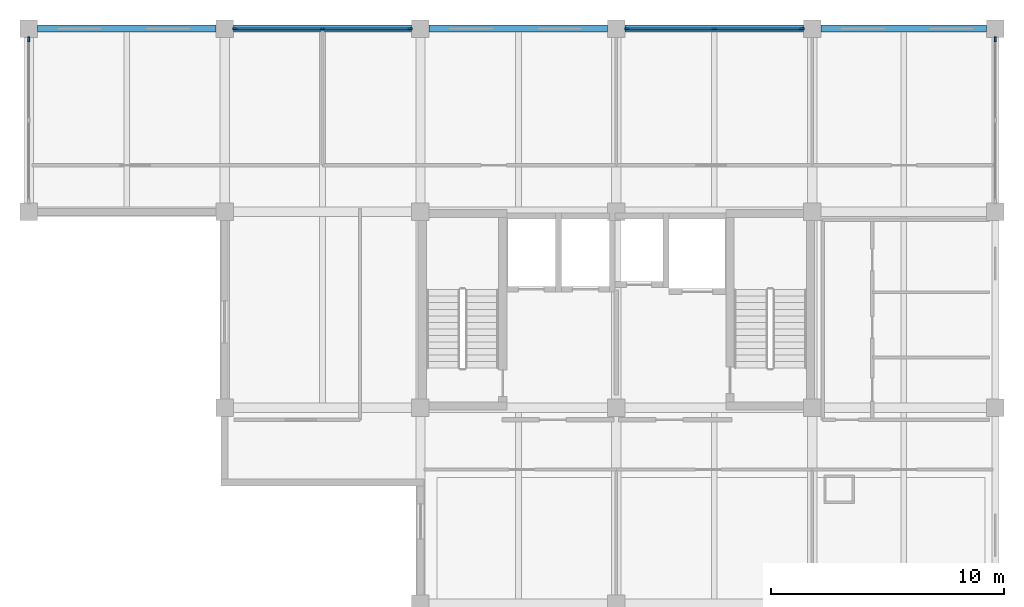
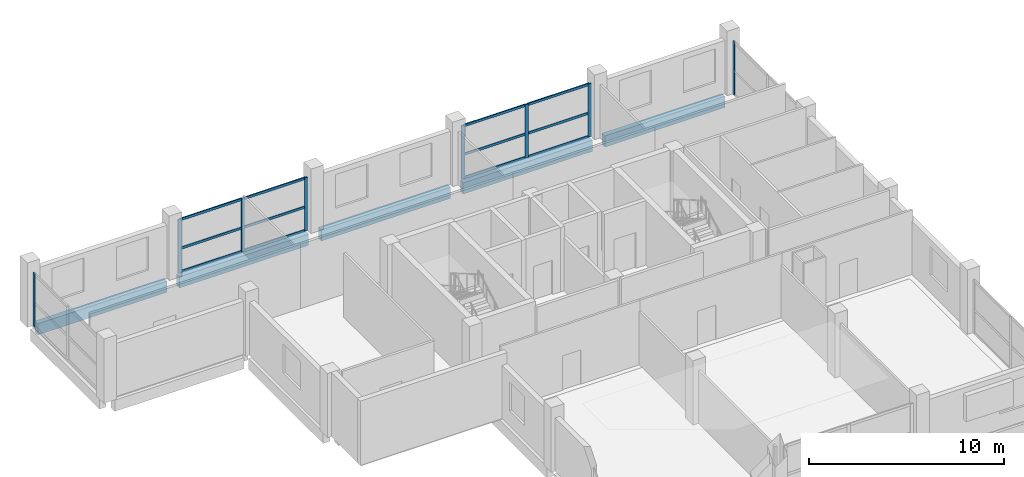
# One storey, part 5 of 9: 20 members, 5 beams, 4 elements without a shape of their own.
"""IFC4 building model written with IfcOpenShell, lengths in metres."""

from ifc_helpers import new_model, si_unit, direction, frame, origin, origin_2d, place, context, subcontext, project, spatial, rectangle, extrude, material, material_profile, profile_set, type_object, element, aggregate, save


model = new_model("IFC4")

# Units and contexts
model_context = context("Model", 3, precision=1e-05, world=origin(), true_north=direction((0.0, 1.0)))
body_context = subcontext(model_context, "Body", "Model", "MODEL_VIEW")
ifc_project = project(units=[si_unit("LENGTHUNIT", "METRE"), si_unit("AREAUNIT", "SQUARE_METRE"), si_unit("VOLUMEUNIT", "CUBIC_METRE"), si_unit("PLANEANGLEUNIT", "RADIAN"), si_unit("MASSUNIT", "GRAM", prefix="KILO")], contexts=[model_context])

# Site, building, storey
site_placement = place(None, origin())
site = spatial("IfcSite", under=ifc_project, at=site_placement, CompositionType="ELEMENT")
building_placement = place(site_placement, origin())
building = spatial("IfcBuilding", under=site, at=building_placement, Name="Brinegate Botanical Conservatory", CompositionType="ELEMENT")
storey_placement = place(building_placement, frame((0.0, 0.0, 52.800048828125)))
storey = spatial("IfcBuildingStorey", under=building, at=storey_placement, Name="L13", CompositionType="ELEMENT", Elevation=52.800048828125)

# Beams
ifc_material_1 = material(Name="Concrete C40/50", Category="concrete")
ifc_material_profile_1 = material_profile(ifc_material_1, rectangle(XDim=0.300048828125, YDim=0.699951171875, at=origin_2d()), Name="RC SPN 300x700")
ifc_profile_set_1 = profile_set([ifc_material_profile_1], Name="Concrete C40/50")
beam_type = type_object("IfcBeamType", Name="Beam_SP-02", PredefinedType="SPANDREL", material=ifc_profile_set_1)
beam_1_placement = place(storey_placement, frame((122.375, 111.449951171875, -0.52001953125), z_axis=(1.0, 0.0, 0.0), x_axis=(0.0, 1.0, 0.0)))
element("IfcBeam", 1, at=beam_1_placement, inside=storey, type_object=beam_type, Name="Beam SP-02 L13 P:16-17", PredefinedType="SPANDREL", context=body_context, shape_type="SweptSolid", body=[
    extrude(rectangle(XDim=0.300048828125, YDim=0.699951171875, at=origin_2d()), origin(), (0.0, 0.0, 1.0), 7.64990234375),
])
beam_2_placement = place(storey_placement, frame((130.77490234375, 111.449951171875, -0.52001953125), z_axis=(1.0, 0.0, 0.0), x_axis=(0.0, 1.0, 0.0)))
element("IfcBeam", 2, at=beam_2_placement, inside=storey, type_object=beam_type, Name="Beam SP-02 L13 P:17-18", PredefinedType="SPANDREL", context=body_context, shape_type="SweptSolid", body=[
    extrude(rectangle(XDim=0.300048828125, YDim=0.699951171875, at=origin_2d()), origin(), (0.0, 0.0, 1.0), 7.650146484375),
])
beam_3_placement = place(storey_placement, frame((139.175048828125, 111.449951171875, -0.52001953125), z_axis=(1.0, 0.0, 0.0), x_axis=(0.0, 1.0, 0.0)))
element("IfcBeam", 3, at=beam_3_placement, inside=storey, type_object=beam_type, Name="Beam SP-02 L13 P:18-19", PredefinedType="SPANDREL", context=body_context, shape_type="SweptSolid", body=[
    extrude(rectangle(XDim=0.300048828125, YDim=0.699951171875, at=origin_2d()), origin(), (0.0, 0.0, 1.0), 7.64990234375),
])
beam_4_placement = place(storey_placement, frame((147.574951171875, 111.449951171875, -0.52001953125), z_axis=(1.0, 0.0, 0.0), x_axis=(0.0, 1.0, 0.0)))
element("IfcBeam", 4, at=beam_4_placement, inside=storey, type_object=beam_type, Name="Beam SP-02 L13 P:19-20", PredefinedType="SPANDREL", context=body_context, shape_type="SweptSolid", body=[
    extrude(rectangle(XDim=0.300048828125, YDim=0.699951171875, at=origin_2d()), origin(), (0.0, 0.0, 1.0), 7.650146484375),
])
beam_5_placement = place(storey_placement, frame((155.97509765625, 111.449951171875, -0.52001953125), z_axis=(1.0, 0.0, 0.0), x_axis=(0.0, 1.0, 0.0)))
element("IfcBeam", 5, at=beam_5_placement, inside=storey, type_object=beam_type, Name="Beam SP-02 L13 P:20-21", PredefinedType="SPANDREL", context=body_context, shape_type="SweptSolid", body=[
    extrude(rectangle(XDim=0.300048828125, YDim=0.699951171875, at=origin_2d()), origin(), (0.0, 0.0, 1.0), 7.099853515625),
])

# Curtain wall, members
ifc_material_2 = material(Name="Thermally broken anodised aluminium AW-6063-T6", Category="aluminium")
curtain_wall_type = type_object("IfcCurtainWallType", Name="CW_CW-TW1", PredefinedType="USERDEFINED", material=ifc_material_2)
curtain_wall_1_placement = place(storey_placement, origin())
curtain_wall_1 = element("IfcCurtainWall", 6, at=curtain_wall_1_placement, inside=storey, type_object=curtain_wall_type, Name="Research lab north curtain wall L13.2", ObjectType="FACTORY CURTAIN WALL", PredefinedType="USERDEFINED")
ifc_material_profile_2 = material_profile(ifc_material_2, rectangle(XDim=0.070068359375, YDim=0.199951171875, at=origin_2d()), Name="ALUM MULLION 70x200")
ifc_profile_set_2 = profile_set([ifc_material_profile_2], Name="Thermally broken anodised aluminium AW-6063-T6")
member_type_1 = type_object("IfcMemberType", Name="Member_ML-03", PredefinedType="MULLION", material=ifc_profile_set_2)
member_1_placement = place(storey_placement, frame((130.85009765625, 111.449951171875, 0.0), z_axis=(0.0, 0.0, 1.0), x_axis=(0.0, 1.0, 0.0)))
member_1 = element("IfcMember", 7, at=member_1_placement, type_object=member_type_1, Name="CW-TW1 mullion 1", PredefinedType="MULLION", context=body_context, shape_type="SweptSolid", body=[
    extrude(rectangle(XDim=0.070068359375, YDim=0.199951171875, at=origin_2d()), origin(), (0.0, 0.0, 1.0), 3.329833984375),
])
member_2_placement = place(storey_placement, frame((134.60009765625, 111.449951171875, 0.0), z_axis=(0.0, 0.0, 1.0), x_axis=(0.0, 1.0, 0.0)))
member_2 = element("IfcMember", 8, at=member_2_placement, type_object=member_type_1, Name="CW-TW1 mullion 2", PredefinedType="MULLION", context=body_context, shape_type="SweptSolid", body=[
    extrude(rectangle(XDim=0.070068359375, YDim=0.199951171875, at=origin_2d()), origin(), (0.0, 0.0, 1.0), 3.329833984375),
])
member_3_placement = place(storey_placement, frame((138.35009765625, 111.449951171875, 0.0), z_axis=(0.0, 0.0, 1.0), x_axis=(0.0, 1.0, 0.0)))
member_3 = element("IfcMember", 9, at=member_3_placement, type_object=member_type_1, Name="CW-TW1 mullion 3", PredefinedType="MULLION", context=body_context, shape_type="SweptSolid", body=[
    extrude(rectangle(XDim=0.070068359375, YDim=0.199951171875, at=origin_2d()), origin(), (0.0, 0.0, 1.0), 3.329833984375),
])

curtain_wall_2_placement = place(storey_placement, origin())
curtain_wall_2 = element("IfcCurtainWall", 10, at=curtain_wall_2_placement, inside=storey, type_object=curtain_wall_type, Name="Research lab north curtain wall L13.4", ObjectType="FACTORY CURTAIN WALL", PredefinedType="USERDEFINED")
member_4_placement = place(storey_placement, frame((147.64990234375, 111.449951171875, 0.0), z_axis=(0.0, 0.0, 1.0), x_axis=(0.0, 1.0, 0.0)))
member_4 = element("IfcMember", 11, at=member_4_placement, type_object=member_type_1, Name="CW-TW1 mullion 1", PredefinedType="MULLION", context=body_context, shape_type="SweptSolid", body=[
    extrude(rectangle(XDim=0.070068359375, YDim=0.199951171875, at=origin_2d()), origin(), (0.0, 0.0, 1.0), 3.329833984375),
])
member_5_placement = place(storey_placement, frame((151.39990234375, 111.449951171875, 0.0), z_axis=(0.0, 0.0, 1.0), x_axis=(0.0, 1.0, 0.0)))
member_5 = element("IfcMember", 12, at=member_5_placement, type_object=member_type_1, Name="CW-TW1 mullion 2", PredefinedType="MULLION", context=body_context, shape_type="SweptSolid", body=[
    extrude(rectangle(XDim=0.070068359375, YDim=0.199951171875, at=origin_2d()), origin(), (0.0, 0.0, 1.0), 3.329833984375),
])
member_6_placement = place(storey_placement, frame((155.14990234375, 111.449951171875, 0.0), z_axis=(0.0, 0.0, 1.0), x_axis=(0.0, 1.0, 0.0)))
member_6 = element("IfcMember", 13, at=member_6_placement, type_object=member_type_1, Name="CW-TW1 mullion 3", PredefinedType="MULLION", context=body_context, shape_type="SweptSolid", body=[
    extrude(rectangle(XDim=0.070068359375, YDim=0.199951171875, at=origin_2d()), origin(), (0.0, 0.0, 1.0), 3.329833984375),
])

# Curtain wall, member
curtain_wall_3_placement = place(storey_placement, origin())
curtain_wall_3 = element("IfcCurtainWall", 14, at=curtain_wall_3_placement, inside=storey, type_object=curtain_wall_type, Name="Tower east curtain wall L13.4", ObjectType="FACTORY CURTAIN WALL", PredefinedType="USERDEFINED")
member_7_placement = place(storey_placement, frame((163.449951171875, 111.0, 0.0), z_axis=(0.0, 0.0, 1.0), x_axis=(1.0, 0.0, 0.0)))
member_7 = element("IfcMember", 15, at=member_7_placement, type_object=member_type_1, Name="CW-TW1 mullion 1", PredefinedType="MULLION", context=body_context, shape_type="SweptSolid", body=[
    extrude(rectangle(XDim=0.070068359375, YDim=0.199951171875, at=origin_2d()), origin(), (0.0, 0.0, 1.0), 3.329833984375),
])
aggregate(curtain_wall_3, [member_7])

curtain_wall_4_placement = place(storey_placement, origin())
curtain_wall_4 = element("IfcCurtainWall", 16, at=curtain_wall_4_placement, inside=storey, type_object=curtain_wall_type, Name="Tower north-west curtain wall L13", ObjectType="FACTORY CURTAIN WALL", PredefinedType="USERDEFINED")
member_8_placement = place(storey_placement, frame((122.0, 111.0, 0.0), z_axis=(0.0, 0.0, 1.0), x_axis=(-1.0, 0.0, 0.0)))
member_8 = element("IfcMember", 17, at=member_8_placement, type_object=member_type_1, Name="CW-TW1 mullion 3", PredefinedType="MULLION", context=body_context, shape_type="SweptSolid", body=[
    extrude(rectangle(XDim=0.070068359375, YDim=0.199951171875, at=origin_2d()), origin(), (0.0, 0.0, 1.0), 3.329833984375),
])
aggregate(curtain_wall_4, [member_8])

# Member
ifc_material_profile_3 = material_profile(ifc_material_2, rectangle(XDim=0.070068359375, YDim=0.14990234375, at=origin_2d()), Name="ALUM TRANSOM 70x150")
ifc_profile_set_3 = profile_set([ifc_material_profile_3], Name="Thermally broken anodised aluminium AW-6063-T6")
member_type_2 = type_object("IfcMemberType", Name="Member_TR-03", PredefinedType="USERDEFINED", material=ifc_profile_set_3)
member_9_placement = place(storey_placement, frame((130.885009765625, 111.449951171875, 0.034912109375), z_axis=(1.0, 0.0, 0.0), x_axis=(0.0, 1.0, 0.0)))
member_9 = element("IfcMember", 18, at=member_9_placement, type_object=member_type_2, Name="CW-TW1 transom 1.1", ObjectType="TRANSOM", PredefinedType="USERDEFINED", context=body_context, shape_type="SweptSolid", body=[
    extrude(rectangle(XDim=0.070068359375, YDim=0.14990234375, at=origin_2d()), origin(), (0.0, 0.0, 1.0), 3.679931640625),
])

member_10_placement = place(storey_placement, frame((130.885009765625, 111.449951171875, 1.498046875), z_axis=(1.0, 0.0, 0.0), x_axis=(0.0, 1.0, 0.0)))
member_10 = element("IfcMember", 19, at=member_10_placement, type_object=member_type_2, Name="CW-TW1 transom 1.2", ObjectType="TRANSOM", PredefinedType="USERDEFINED", context=body_context, shape_type="SweptSolid", body=[
    extrude(rectangle(XDim=0.070068359375, YDim=0.14990234375, at=origin_2d()), origin(), (0.0, 0.0, 1.0), 3.679931640625),
])

member_11_placement = place(storey_placement, frame((130.885009765625, 111.449951171875, 3.294921875), z_axis=(1.0, 0.0, 0.0), x_axis=(0.0, 1.0, 0.0)))
member_11 = element("IfcMember", 20, at=member_11_placement, type_object=member_type_2, Name="CW-TW1 transom 1.3", ObjectType="TRANSOM", PredefinedType="USERDEFINED", context=body_context, shape_type="SweptSolid", body=[
    extrude(rectangle(XDim=0.070068359375, YDim=0.14990234375, at=origin_2d()), origin(), (0.0, 0.0, 1.0), 3.679931640625),
])

member_12_placement = place(storey_placement, frame((134.635009765625, 111.449951171875, 0.034912109375), z_axis=(1.0, 0.0, 0.0), x_axis=(0.0, 1.0, 0.0)))
member_12 = element("IfcMember", 21, at=member_12_placement, type_object=member_type_2, Name="CW-TW1 transom 2.1", ObjectType="TRANSOM", PredefinedType="USERDEFINED", context=body_context, shape_type="SweptSolid", body=[
    extrude(rectangle(XDim=0.070068359375, YDim=0.14990234375, at=origin_2d()), origin(), (0.0, 0.0, 1.0), 3.679931640625),
])

member_13_placement = place(storey_placement, frame((134.635009765625, 111.449951171875, 1.498046875), z_axis=(1.0, 0.0, 0.0), x_axis=(0.0, 1.0, 0.0)))
member_13 = element("IfcMember", 22, at=member_13_placement, type_object=member_type_2, Name="CW-TW1 transom 2.2", ObjectType="TRANSOM", PredefinedType="USERDEFINED", context=body_context, shape_type="SweptSolid", body=[
    extrude(rectangle(XDim=0.070068359375, YDim=0.14990234375, at=origin_2d()), origin(), (0.0, 0.0, 1.0), 3.679931640625),
])

member_14_placement = place(storey_placement, frame((134.635009765625, 111.449951171875, 3.294921875), z_axis=(1.0, 0.0, 0.0), x_axis=(0.0, 1.0, 0.0)))
member_14 = element("IfcMember", 23, at=member_14_placement, type_object=member_type_2, Name="CW-TW1 transom 2.3", ObjectType="TRANSOM", PredefinedType="USERDEFINED", context=body_context, shape_type="SweptSolid", body=[
    extrude(rectangle(XDim=0.070068359375, YDim=0.14990234375, at=origin_2d()), origin(), (0.0, 0.0, 1.0), 3.679931640625),
])

aggregate(curtain_wall_1, [member_1, member_2, member_3, member_9, member_10, member_11, member_12, member_13, member_14])

member_15_placement = place(storey_placement, frame((147.68505859375, 111.449951171875, 0.034912109375), z_axis=(1.0, 0.0, 0.0), x_axis=(0.0, 1.0, 0.0)))
member_15 = element("IfcMember", 24, at=member_15_placement, type_object=member_type_2, Name="CW-TW1 transom 1.1", ObjectType="TRANSOM", PredefinedType="USERDEFINED", context=body_context, shape_type="SweptSolid", body=[
    extrude(rectangle(XDim=0.070068359375, YDim=0.14990234375, at=origin_2d()), origin(), (0.0, 0.0, 1.0), 3.679931640625),
])

member_16_placement = place(storey_placement, frame((147.68505859375, 111.449951171875, 1.498046875), z_axis=(1.0, 0.0, 0.0), x_axis=(0.0, 1.0, 0.0)))
member_16 = element("IfcMember", 25, at=member_16_placement, type_object=member_type_2, Name="CW-TW1 transom 1.2", ObjectType="TRANSOM", PredefinedType="USERDEFINED", context=body_context, shape_type="SweptSolid", body=[
    extrude(rectangle(XDim=0.070068359375, YDim=0.14990234375, at=origin_2d()), origin(), (0.0, 0.0, 1.0), 3.679931640625),
])

member_17_placement = place(storey_placement, frame((147.68505859375, 111.449951171875, 3.294921875), z_axis=(1.0, 0.0, 0.0), x_axis=(0.0, 1.0, 0.0)))
member_17 = element("IfcMember", 26, at=member_17_placement, type_object=member_type_2, Name="CW-TW1 transom 1.3", ObjectType="TRANSOM", PredefinedType="USERDEFINED", context=body_context, shape_type="SweptSolid", body=[
    extrude(rectangle(XDim=0.070068359375, YDim=0.14990234375, at=origin_2d()), origin(), (0.0, 0.0, 1.0), 3.679931640625),
])

member_18_placement = place(storey_placement, frame((151.43505859375, 111.449951171875, 0.034912109375), z_axis=(1.0, 0.0, 0.0), x_axis=(0.0, 1.0, 0.0)))
member_18 = element("IfcMember", 27, at=member_18_placement, type_object=member_type_2, Name="CW-TW1 transom 2.1", ObjectType="TRANSOM", PredefinedType="USERDEFINED", context=body_context, shape_type="SweptSolid", body=[
    extrude(rectangle(XDim=0.070068359375, YDim=0.14990234375, at=origin_2d()), origin(), (0.0, 0.0, 1.0), 3.679931640625),
])

member_19_placement = place(storey_placement, frame((151.43505859375, 111.449951171875, 1.498046875), z_axis=(1.0, 0.0, 0.0), x_axis=(0.0, 1.0, 0.0)))
member_19 = element("IfcMember", 28, at=member_19_placement, type_object=member_type_2, Name="CW-TW1 transom 2.2", ObjectType="TRANSOM", PredefinedType="USERDEFINED", context=body_context, shape_type="SweptSolid", body=[
    extrude(rectangle(XDim=0.070068359375, YDim=0.14990234375, at=origin_2d()), origin(), (0.0, 0.0, 1.0), 3.679931640625),
])

member_20_placement = place(storey_placement, frame((151.43505859375, 111.449951171875, 3.294921875), z_axis=(1.0, 0.0, 0.0), x_axis=(0.0, 1.0, 0.0)))
member_20 = element("IfcMember", 29, at=member_20_placement, type_object=member_type_2, Name="CW-TW1 transom 2.3", ObjectType="TRANSOM", PredefinedType="USERDEFINED", context=body_context, shape_type="SweptSolid", body=[
    extrude(rectangle(XDim=0.070068359375, YDim=0.14990234375, at=origin_2d()), origin(), (0.0, 0.0, 1.0), 3.679931640625),
])

aggregate(curtain_wall_2, [member_4, member_5, member_6, member_15, member_16, member_17, member_18, member_19, member_20])

save(model, "model.ifc")
